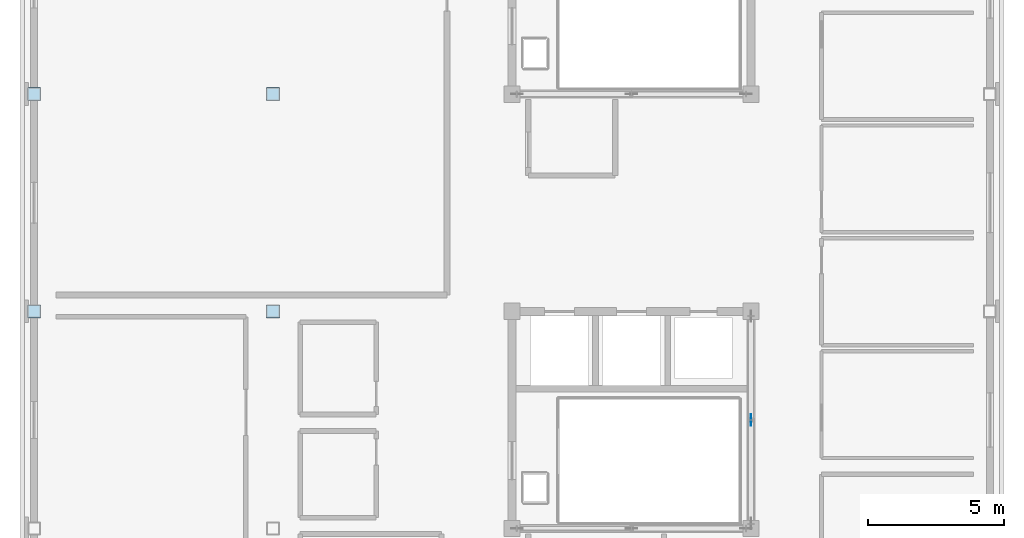
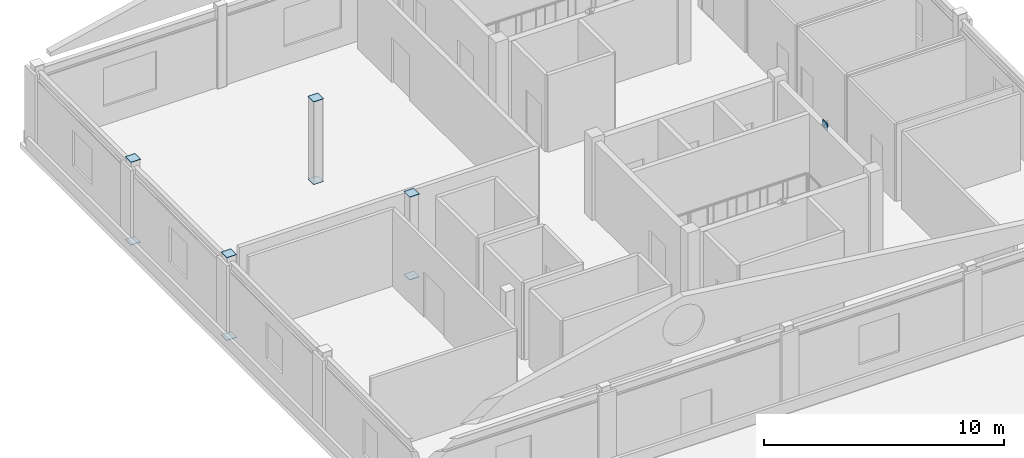
# One storey, part 3 of 10: 13 plates.
"""IFC4 building model written with IfcOpenShell, lengths in metres."""

from ifc_helpers import new_model, si_unit, direction, frame, origin, origin_2d, place, context, subcontext, project, spatial, rectangle, extrude, material, layer, layer_set, type_object, element, save


model = new_model("IFC4")

# Units and contexts
model_context = context("Model", 3, precision=1e-05, world=origin(), true_north=direction((0.0, 1.0)))
body_context = subcontext(model_context, "Body", "Model", "MODEL_VIEW")
ifc_project = project(units=[si_unit("LENGTHUNIT", "METRE"), si_unit("AREAUNIT", "SQUARE_METRE"), si_unit("VOLUMEUNIT", "CUBIC_METRE"), si_unit("PLANEANGLEUNIT", "RADIAN"), si_unit("MASSUNIT", "GRAM", prefix="KILO")], contexts=[model_context])

# Site, building, storey
site_placement = place(None, origin())
site = spatial("IfcSite", under=ifc_project, at=site_placement, CompositionType="ELEMENT")
building_placement = place(site_placement, origin())
building = spatial("IfcBuilding", under=site, at=building_placement, Name="Zhaolan Boulevard Law Courts", CompositionType="ELEMENT")
storey_placement = place(building_placement, frame((0.0, 0.0, 41.39990234375)))
storey = spatial("IfcBuildingStorey", under=building, at=storey_placement, Name="L09", CompositionType="ELEMENT", Elevation=41.39990234375)

# Plates
ifc_material_1 = material(Name="Structural steel Q355B", Category="steel")
ifc_layer_1 = layer(ifc_material_1, 0.02392578125)
ifc_layer_set_1 = layer_set([ifc_layer_1])
plate_type_1 = type_object("IfcPlateType", Name="BRACE GUSSET PLATE 24", PredefinedType="SHEET", material=ifc_layer_set_1)
plate_placement = place(storey_placement, frame((26.39990234375, 50.0, 3.740234375), z_axis=(0.0, 0.0, 1.0), x_axis=(0.0, 1.0, 0.0)))
element("IfcPlate", 1, at=plate_placement, inside=storey, type_object=plate_type_1, Name="Brace Gusset Connection Plate GP-W1-L09-EAPX", PredefinedType="SHEET", context=body_context, shape_type="SweptSolid", body=[
    extrude(rectangle(XDim=0.419921875, YDim=0.02392578125, at=origin_2d()), origin(), (0.0, 0.0, 1.0), 0.360107421875),
])
ifc_material_2 = material(Name="Structural steel Q355B", Category="steel")
ifc_layer_2 = layer(ifc_material_2, 0.02001953125)
ifc_layer_set_2 = layer_set([ifc_layer_2])
plate_type_2 = type_object("IfcPlateType", Name="END CAP PLATE 20", PredefinedType="SHEET", material=ifc_layer_set_2)
for number, where, z_axis, x_axis, name in (
    (2, (0.0, 54.0, 4.18017578125), (0.0, 0.0, 1.0), (1.0, 0.0, 0.0), "Hollow Column Top End-Cap Plate ECP-1H"),
    (3, (0.0, 62.0, 4.18017578125), (0.0, 0.0, 1.0), (1.0, 0.0, 0.0), "Hollow Column Top End-Cap Plate ECP-1J"),
    (4, (8.800048828125, 54.0, 4.18017578125), (0.0, 0.0, 1.0), (1.0, 0.0, 0.0), "Hollow Column Top End-Cap Plate ECP-2H"),
    (5, (8.800048828125, 62.0, 4.18017578125), (0.0, 0.0, 1.0), (1.0, 0.0, 0.0), "Hollow Column Top End-Cap Plate ECP-2J"),
):
    element("IfcPlate", number, at=place(storey_placement, frame(where, z_axis=z_axis, x_axis=x_axis)), inside=storey, type_object=plate_type_2, Name=name, PredefinedType="SHEET", context=body_context, shape_type="SweptSolid", body=[
        extrude(rectangle(XDim=0.449951171875, YDim=0.449951171875, at=origin_2d()), origin(), (0.0, 0.0, 1.0), 0.02001953125),
    ])
for number, where, z_axis, x_axis, name in (
    (6, (0.0, 54.0, -0.017822265625), (0.0, 0.0, 1.0), (1.0, 0.0, 0.0), "Hollow Section End-Cap Plate ECP-0085"),
    (7, (0.0, 54.0, 4.197998046875), (0.0, 0.0, 1.0), (1.0, 0.0, 0.0), "Hollow Section End-Cap Plate ECP-0086"),
    (8, (0.0, 62.0, -0.017822265625), (0.0, 0.0, 1.0), (1.0, 0.0, 0.0), "Hollow Section End-Cap Plate ECP-0107"),
    (9, (0.0, 62.0, 4.197998046875), (0.0, 0.0, 1.0), (1.0, 0.0, 0.0), "Hollow Section End-Cap Plate ECP-0108"),
    (10, (8.800048828125, 54.0, -0.017822265625), (0.0, 0.0, 1.0), (1.0, 0.0, 0.0), "Hollow Section End-Cap Plate ECP-0219"),
    (11, (8.800048828125, 54.0, 4.197998046875), (0.0, 0.0, 1.0), (1.0, 0.0, 0.0), "Hollow Section End-Cap Plate ECP-0220"),
    (12, (8.800048828125, 62.0, -0.017822265625), (0.0, 0.0, 1.0), (1.0, 0.0, 0.0), "Hollow Section End-Cap Plate ECP-0241"),
    (13, (8.800048828125, 62.0, 4.197998046875), (0.0, 0.0, 1.0), (1.0, 0.0, 0.0), "Hollow Section End-Cap Plate ECP-0242"),
):
    element("IfcPlate", number, at=place(storey_placement, frame(where, z_axis=z_axis, x_axis=x_axis)), inside=storey, type_object=plate_type_2, Name=name, PredefinedType="SHEET", context=body_context, shape_type="SweptSolid", body=[
        extrude(rectangle(XDim=0.47998046875, YDim=0.47998046875, at=origin_2d()), origin(), (0.0, 0.0, 1.0), 0.02001953125),
    ])

save(model, "model.ifc")
